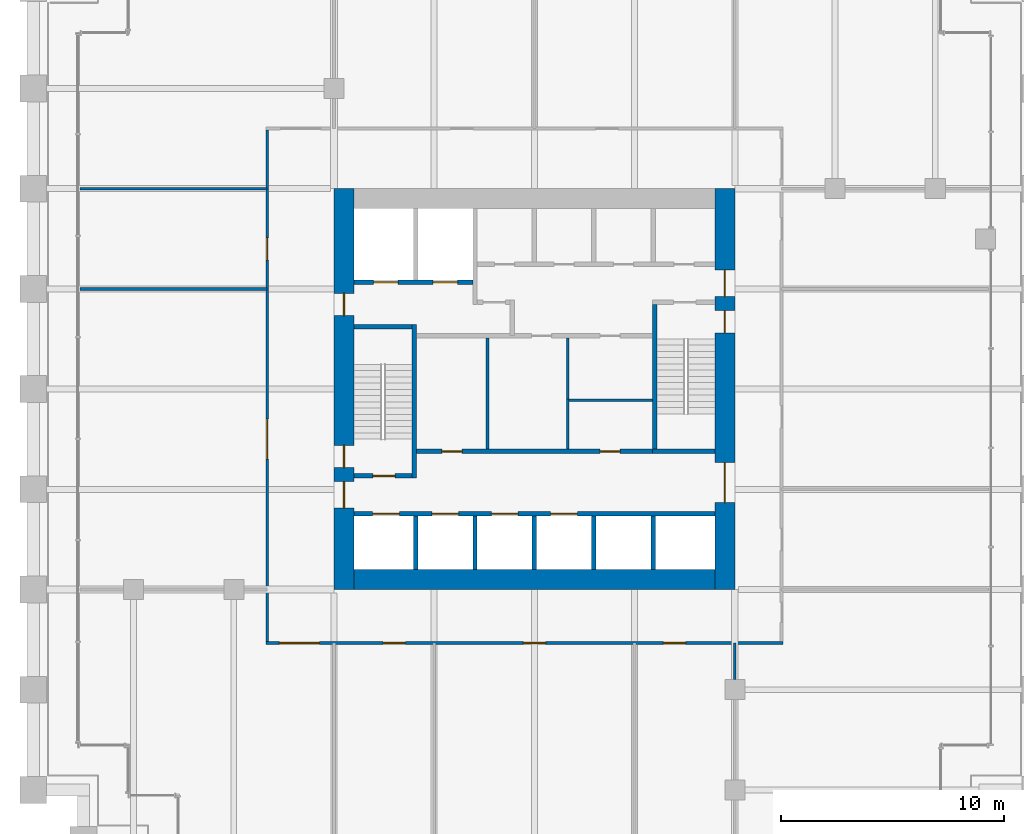
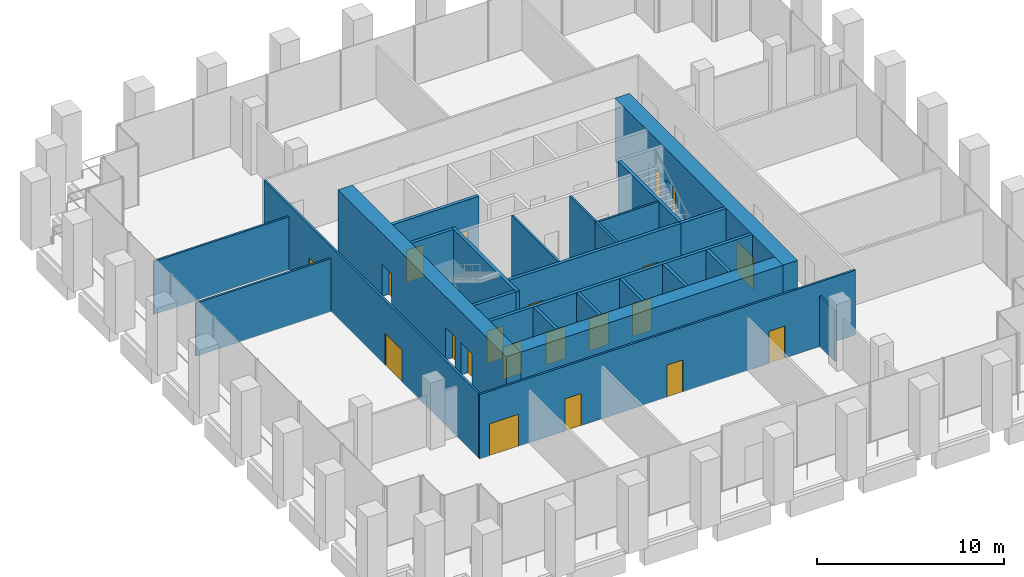
# One storey, part 30 of 36: 25 walls, 21 doors, 21 openings.
"""IFC4 building model written with IfcOpenShell, lengths in metres."""

from ifc_helpers import new_model, si_unit, direction, frame, frame_2d, origin, place, context, subcontext, project, spatial, rectangle, extrude, material, layer, layer_set, type_object, element, fill, save


model = new_model("IFC4")

# Units and contexts
model_context = context("Model", 3, precision=1e-05, world=origin(), true_north=direction((0.0, 1.0)))
body_context = subcontext(model_context, "Body", "Model", "MODEL_VIEW")
ifc_project = project(units=[si_unit("LENGTHUNIT", "METRE"), si_unit("AREAUNIT", "SQUARE_METRE"), si_unit("VOLUMEUNIT", "CUBIC_METRE"), si_unit("PLANEANGLEUNIT", "RADIAN"), si_unit("MASSUNIT", "GRAM", prefix="KILO")], contexts=[model_context])

# Site, building, storey
site_placement = place(None, origin())
site = spatial("IfcSite", under=ifc_project, at=site_placement, CompositionType="ELEMENT")
building_placement = place(site_placement, origin())
building = spatial("IfcBuilding", under=site, at=building_placement, Name="Altepetl Exchange Towers", CompositionType="ELEMENT")
storey_placement = place(building_placement, frame((0.0, 0.0, 29.800048828125)))
storey = spatial("IfcBuildingStorey", under=building, at=storey_placement, Name="L06", CompositionType="ELEMENT", Elevation=29.800048828125)

# Wall, openings, doors
ifc_material_1 = material(Name="Concrete C70/85", Category="concrete")
ifc_layer_1 = layer(ifc_material_1, 0.89990234375)
ifc_layer_set_1 = layer_set([ifc_layer_1], Name="Concrete C70/85")
wall_type_1 = type_object("IfcWallType", Name="Core wall 900 reinforced concrete", PredefinedType="SHEAR", material=ifc_layer_set_1)
wall_1_placement = place(storey_placement, frame((58.050048828125, 40.5, 0.0), z_axis=(0.0, 0.0, 1.0), x_axis=(0.0, 1.0, 0.0)))
wall_1 = element("IfcWall", 1, at=wall_1_placement, inside=storey, type_object=wall_type_1, Name="wall:A:L06:K-coreE", PredefinedType="SHEAR", context=body_context, shape_type="SweptSolid", body=[
    extrude(rectangle(XDim=18.0, YDim=0.89990234375, at=frame_2d((9.0, 0.0))), origin(), (0.0, 0.0, 1.0), 4.125),
])
opening_1_placement = place(wall_1_placement, frame((13.14990234375, 0.0, 0.0)))
opening_1 = element("IfcOpeningElement", 2, at=opening_1_placement, cuts=wall_1, Name="Opening L06.A60", PredefinedType="OPENING", context=body_context, shape_type="SweptSolid", body=[
    extrude(rectangle(XDim=1.199951171875, YDim=2.10009765625, at=frame_2d((0.60009765625, 1.050048828125))), frame((0.0, 0.4599609375, 0.0), z_axis=(0.0, -1.0, 0.0), x_axis=(1.0, 0.0, 0.0)), (0.0, 0.0, 1.0), 0.919921875),
])
opening_2_placement = place(wall_1_placement, frame((3.89990234375, 0.0, 0.0)))
opening_2 = element("IfcOpeningElement", 3, at=opening_2_placement, cuts=wall_1, Name="Opening L06.A61", PredefinedType="OPENING", context=body_context, shape_type="SweptSolid", body=[
    extrude(rectangle(XDim=1.800048828125, YDim=2.10009765625, at=frame_2d((0.89990234375, 1.050048828125))), frame((0.0, 0.4599609375, 0.0), z_axis=(0.0, -1.0, 0.0), x_axis=(1.0, 0.0, 0.0)), (0.0, 0.0, 1.0), 0.919921875),
])
opening_3_placement = place(wall_1_placement, frame((11.52490234375, 0.0, 0.0)))
opening_3 = element("IfcOpeningElement", 4, at=opening_3_placement, cuts=wall_1, Name="Opening L06.A66", PredefinedType="OPENING", context=body_context, shape_type="SweptSolid", body=[
    extrude(rectangle(XDim=1.0, YDim=2.10009765625, at=frame_2d((0.5, 1.050048828125))), frame((0.0, 0.4599609375, 0.0), z_axis=(0.0, -1.0, 0.0), x_axis=(1.0, 0.0, 0.0)), (0.0, 0.0, 1.0), 0.919921875),
])
ifc_material_2 = material(Name="Steel and timber fire door", Category="steel")
door_type_1 = type_object("IfcDoorType", Name="Fire door 1000 x 2100 stair and lobby", OperationType="SINGLE_SWING_LEFT", PredefinedType="DOOR", material=ifc_material_2)
door_1_placement = place(opening_3_placement, origin())
door_1 = element("IfcDoor", 5, at=door_1_placement, inside=storey, type_object=door_type_1, Name="door:A:L06:K-dS2x", OperationType="SINGLE_SWING_RIGHT", OverallHeight=2.10009765625, OverallWidth=1.0, PredefinedType="DOOR", context=body_context, shape_type="SweptSolid", body=[
    extrude(rectangle(XDim=1.0, YDim=2.10009765625, at=frame_2d((0.5, 1.050048828125))), frame((0.0, 0.02490234375, 0.0), z_axis=(0.0, -1.0, 0.0), x_axis=(1.0, 0.0, 0.0)), (0.0, 0.0, 1.0), 0.050048828125),
])
fill(opening_3, door_1)
door_type_2 = type_object("IfcDoorType", Name="Fire door 1200 x 2100 lobby entry", OperationType="SINGLE_SWING_LEFT", PredefinedType="DOOR", material=ifc_material_2)
door_2_placement = place(opening_1_placement, origin())
door_2 = element("IfcDoor", 6, at=door_2_placement, inside=storey, type_object=door_type_2, Name="door:A:L06:K-dLNE", OperationType="SINGLE_SWING_RIGHT", OverallHeight=2.10009765625, OverallWidth=1.199951171875, PredefinedType="DOOR", context=body_context, shape_type="SweptSolid", body=[
    extrude(rectangle(XDim=1.199951171875, YDim=2.10009765625, at=frame_2d((0.60009765625, 1.050048828125))), frame((0.0, 0.02490234375, 0.0), z_axis=(0.0, -1.0, 0.0), x_axis=(1.0, 0.0, 0.0)), (0.0, 0.0, 1.0), 0.050048828125),
])
fill(opening_1, door_2)
door_type_3 = type_object("IfcDoorType", Name="Fire door 1800 x 2100 lobby entry", OperationType="DOUBLE_DOOR_SINGLE_SWING", PredefinedType="DOOR", material=ifc_material_2)
door_3_placement = place(opening_2_placement, origin())
door_3 = element("IfcDoor", 7, at=door_3_placement, inside=storey, type_object=door_type_3, Name="door:A:L06:K-dLSE", OperationType="DOUBLE_DOOR_SINGLE_SWING", OverallHeight=2.10009765625, OverallWidth=1.800048828125, PredefinedType="DOOR", context=body_context, shape_type="SweptSolid", body=[
    extrude(rectangle(XDim=1.800048828125, YDim=2.10009765625, at=frame_2d((0.89990234375, 1.050048828125))), frame((0.0, 0.02490234375, 0.0), z_axis=(0.0, -1.0, 0.0), x_axis=(1.0, 0.0, 0.0)), (0.0, 0.0, 1.0), 0.050048828125),
])
fill(opening_2, door_3)

# Wall
wall_2_placement = place(storey_placement, frame((41.39990234375, 40.949951171875, 0.0)))
element("IfcWall", 8, at=wall_2_placement, inside=storey, type_object=wall_type_1, Name="wall:A:L06:K-coreS", PredefinedType="SHEAR", context=body_context, shape_type="SweptSolid", body=[
    extrude(rectangle(XDim=16.2001953125, YDim=0.89990234375, at=frame_2d((8.10009765625, 0.0))), origin(), (0.0, 0.0, 1.0), 4.125),
])

# Wall, openings, doors
wall_3_placement = place(storey_placement, frame((40.949951171875, 40.5, 0.0), z_axis=(0.0, 0.0, 1.0), x_axis=(0.0, 1.0, 0.0)))
wall_3 = element("IfcWall", 9, at=wall_3_placement, inside=storey, type_object=wall_type_1, Name="wall:A:L06:K-coreW", PredefinedType="SHEAR", context=body_context, shape_type="SweptSolid", body=[
    extrude(rectangle(XDim=18.0, YDim=0.89990234375, at=frame_2d((9.0, 0.0))), origin(), (0.0, 0.0, 1.0), 4.125),
])
opening_4_placement = place(wall_3_placement, frame((3.64990234375, 0.0, 0.0)))
opening_4 = element("IfcOpeningElement", 10, at=opening_4_placement, cuts=wall_3, Name="Opening L06.A62", PredefinedType="OPENING", context=body_context, shape_type="SweptSolid", body=[
    extrude(rectangle(XDim=1.199951171875, YDim=2.10009765625, at=frame_2d((0.60009765625, 1.050048828125))), frame((0.0, 0.4599609375, 0.0), z_axis=(0.0, -1.0, 0.0), x_axis=(1.0, 0.0, 0.0)), (0.0, 0.0, 1.0), 0.919921875),
])
opening_5_placement = place(wall_3_placement, frame((5.47509765625, 0.0, 0.0)))
opening_5 = element("IfcOpeningElement", 11, at=opening_5_placement, cuts=wall_3, Name="Opening L06.A64", PredefinedType="OPENING", context=body_context, shape_type="SweptSolid", body=[
    extrude(rectangle(XDim=1.0, YDim=2.10009765625, at=frame_2d((0.5, 1.050048828125))), frame((0.0, 0.4599609375, 0.0), z_axis=(0.0, -1.0, 0.0), x_axis=(1.0, 0.0, 0.0)), (0.0, 0.0, 1.0), 0.919921875),
])
opening_6_placement = place(wall_3_placement, frame((12.300048828125, 0.0, 0.0)))
opening_6 = element("IfcOpeningElement", 12, at=opening_6_placement, cuts=wall_3, Name="Opening L06.A68", PredefinedType="OPENING", context=body_context, shape_type="SweptSolid", body=[
    extrude(rectangle(XDim=1.0, YDim=2.10009765625, at=frame_2d((0.5, 1.050048828125))), frame((0.0, 0.4599609375, 0.0), z_axis=(0.0, -1.0, 0.0), x_axis=(1.0, 0.0, 0.0)), (0.0, 0.0, 1.0), 0.919921875),
])
door_4_placement = place(opening_5_placement, frame((1.0, 0.0, 0.0), x_axis=(-1.0, 0.0, 0.0)))
door_4 = element("IfcDoor", 13, at=door_4_placement, inside=storey, type_object=door_type_1, Name="door:A:L06:K-dS1x", OperationType="SINGLE_SWING_RIGHT", OverallHeight=2.10009765625, OverallWidth=1.0, PredefinedType="DOOR", context=body_context, shape_type="SweptSolid", body=[
    extrude(rectangle(XDim=1.0, YDim=2.10009765625, at=frame_2d((0.5, 1.050048828125))), frame((0.0, 0.02490234375, 0.0), z_axis=(0.0, -1.0, 0.0), x_axis=(1.0, 0.0, 0.0)), (0.0, 0.0, 1.0), 0.050048828125),
])
fill(opening_5, door_4)
door_5_placement = place(opening_6_placement, frame((1.0, 0.0, 0.0), x_axis=(-1.0, 0.0, 0.0)))
door_5 = element("IfcDoor", 14, at=door_5_placement, inside=storey, type_object=door_type_1, Name="door:A:L06:K-dffW", OperationType="SINGLE_SWING_LEFT", OverallHeight=2.10009765625, OverallWidth=1.0, PredefinedType="DOOR", context=body_context, shape_type="SweptSolid", body=[
    extrude(rectangle(XDim=1.0, YDim=2.10009765625, at=frame_2d((0.5, 1.050048828125))), frame((0.0, 0.02490234375, 0.0), z_axis=(0.0, -1.0, 0.0), x_axis=(1.0, 0.0, 0.0)), (0.0, 0.0, 1.0), 0.050048828125),
])
fill(opening_6, door_5)
door_6_placement = place(opening_4_placement, frame((1.199951171875, 0.0, 0.0), x_axis=(-1.0, 0.0, 0.0)))
door_6 = element("IfcDoor", 15, at=door_6_placement, inside=storey, type_object=door_type_2, Name="door:A:L06:K-dLSW", OperationType="SINGLE_SWING_LEFT", OverallHeight=2.10009765625, OverallWidth=1.199951171875, PredefinedType="DOOR", context=body_context, shape_type="SweptSolid", body=[
    extrude(rectangle(XDim=1.199951171875, YDim=2.10009765625, at=frame_2d((0.60009765625, 1.050048828125))), frame((0.0, 0.02490234375, 0.0), z_axis=(0.0, -1.0, 0.0), x_axis=(1.0, 0.0, 0.0)), (0.0, 0.0, 1.0), 0.050048828125),
])
fill(opening_4, door_6)

ifc_material_3 = material(Name="Concrete blockwork", Category="masonry")
ifc_layer_2 = layer(ifc_material_3, 0.199951171875)
ifc_layer_set_2 = layer_set([ifc_layer_2], Name="Concrete blockwork")
wall_type_2 = type_object("IfcWallType", Name="Lobby wall 200 blockwork", PredefinedType="PARTITIONING", material=ifc_layer_set_2)
wall_4_placement = place(storey_placement, frame((44.199951171875, 46.699951171875, 0.0)))
wall_4 = element("IfcWall", 16, at=wall_4_placement, inside=storey, type_object=wall_type_2, Name="wall:A:L06:K-zoneS", PredefinedType="PARTITIONING", context=body_context, shape_type="SweptSolid", body=[
    extrude(rectangle(XDim=10.60009765625, YDim=0.199951171875, at=frame_2d((5.300048828125, 0.0))), origin(), (0.0, 0.0, 1.0), 4.125),
])
opening_7_placement = place(wall_4_placement, frame((1.14990234375, 0.0, 0.0)))
opening_7 = element("IfcOpeningElement", 17, at=opening_7_placement, cuts=wall_4, Name="Opening L06.A73", PredefinedType="OPENING", context=body_context, shape_type="SweptSolid", body=[
    extrude(rectangle(XDim=0.89990234375, YDim=2.10009765625, at=frame_2d((0.449951171875, 1.050048828125))), frame((0.0, 0.10986328125, 0.0), z_axis=(0.0, -1.0, 0.0), x_axis=(1.0, 0.0, 0.0)), (0.0, 0.0, 1.0), 0.219970703125),
])
opening_8_placement = place(wall_4_placement, frame((8.25, 0.0, 0.0)))
opening_8 = element("IfcOpeningElement", 18, at=opening_8_placement, cuts=wall_4, Name="Opening L06.A75", PredefinedType="OPENING", context=body_context, shape_type="SweptSolid", body=[
    extrude(rectangle(XDim=0.89990234375, YDim=2.10009765625, at=frame_2d((0.449951171875, 1.050048828125))), frame((0.0, 0.10986328125, 0.0), z_axis=(0.0, -1.0, 0.0), x_axis=(1.0, 0.0, 0.0)), (0.0, 0.0, 1.0), 0.219970703125),
])
door_type_4 = type_object("IfcDoorType", Name="Fire door 900 x 2100 service room", OperationType="SINGLE_SWING_LEFT", PredefinedType="DOOR", material=ifc_material_2)
door_7_placement = place(opening_7_placement, origin())
door_7 = element("IfcDoor", 19, at=door_7_placement, inside=storey, type_object=door_type_4, Name="door:A:L06:K-dz1", OperationType="SINGLE_SWING_RIGHT", OverallHeight=2.10009765625, OverallWidth=0.89990234375, PredefinedType="DOOR", context=body_context, shape_type="SweptSolid", body=[
    extrude(rectangle(XDim=0.89990234375, YDim=2.10009765625, at=frame_2d((0.449951171875, 1.050048828125))), frame((0.0, 0.02490234375, 0.0), z_axis=(0.0, -1.0, 0.0), x_axis=(1.0, 0.0, 0.0)), (0.0, 0.0, 1.0), 0.050048828125),
])
fill(opening_7, door_7)
door_8_placement = place(opening_8_placement, origin())
door_8 = element("IfcDoor", 20, at=door_8_placement, inside=storey, type_object=door_type_4, Name="door:A:L06:K-dz3", OperationType="SINGLE_SWING_RIGHT", OverallHeight=2.10009765625, OverallWidth=0.89990234375, PredefinedType="DOOR", context=body_context, shape_type="SweptSolid", body=[
    extrude(rectangle(XDim=0.89990234375, YDim=2.10009765625, at=frame_2d((0.449951171875, 1.050048828125))), frame((0.0, 0.02490234375, 0.0), z_axis=(0.0, -1.0, 0.0), x_axis=(1.0, 0.0, 0.0)), (0.0, 0.0, 1.0), 0.050048828125),
])
fill(opening_8, door_8)

# Walls
ifc_material_4 = material(Name="Gypsum board on steel studs", Category="steel")
ifc_layer_3 = layer(ifc_material_4, 0.125)
ifc_layer_set_3 = layer_set([ifc_layer_3], Name="Gypsum board on steel studs")
wall_type_3 = type_object("IfcWallType", Name="Partition 125 gypsum board on steel studs", PredefinedType="PARTITIONING", material=ifc_layer_set_3)
wall_5_placement = place(storey_placement, frame((47.39990234375, 46.800048828125, 0.0), z_axis=(0.0, 0.0, 1.0), x_axis=(0.0, 1.0, 0.0)))
element("IfcWall", 21, at=wall_5_placement, inside=storey, type_object=wall_type_3, Name="wall:A:L06:K-zp1", PredefinedType="PARTITIONING", context=body_context, shape_type="SweptSolid", body=[
    extrude(rectangle(XDim=5.0, YDim=0.125, at=frame_2d((2.5, 0.0))), origin(), (0.0, 0.0, 1.0), 4.125),
])
wall_6_placement = place(storey_placement, frame((51.0, 46.800048828125, 0.0), z_axis=(0.0, 0.0, 1.0), x_axis=(0.0, 1.0, 0.0)))
element("IfcWall", 22, at=wall_6_placement, inside=storey, type_object=wall_type_3, Name="wall:A:L06:K-zp2", PredefinedType="PARTITIONING", context=body_context, shape_type="SweptSolid", body=[
    extrude(rectangle(XDim=2.262451171875, YDim=0.125, at=frame_2d((1.13134765625, 0.0))), origin(), (0.0, 0.0, 1.0), 4.125),
])
wall_7_placement = place(storey_placement, frame((54.800048828125, 49.0, 0.0), z_axis=(0.0, 0.0, 1.0), x_axis=(-1.0, 0.0, 0.0)))
element("IfcWall", 23, at=wall_7_placement, inside=storey, type_object=wall_type_3, Name="wall:A:L06:K-zp3", PredefinedType="PARTITIONING", context=body_context, shape_type="SweptSolid", body=[
    extrude(rectangle(XDim=3.737548828125, YDim=0.125, at=frame_2d((1.86865234375, 0.0))), origin(), (0.0, 0.0, 1.0), 4.125),
])
wall_8_placement = place(storey_placement, frame((51.0, 49.0, 0.0), z_axis=(0.0, 0.0, 1.0), x_axis=(0.0, 1.0, 0.0)))
element("IfcWall", 24, at=wall_8_placement, inside=storey, type_object=wall_type_3, Name="wall:A:L06:K-zp4", PredefinedType="PARTITIONING", context=body_context, shape_type="SweptSolid", body=[
    extrude(rectangle(XDim=2.800048828125, YDim=0.125, at=frame_2d((1.39990234375, 0.0))), origin(), (0.0, 0.0, 1.0), 4.125),
])

# Wall, openings, doors
wall_9_placement = place(storey_placement, frame((37.4375, 38.10009765625, 0.0)))
wall_9 = element("IfcWall", 25, at=wall_9_placement, inside=storey, type_object=wall_type_3, Name="wall:A:L06:P01", PredefinedType="PARTITIONING", context=body_context, shape_type="SweptSolid", body=[
    extrude(rectangle(XDim=23.22509765625, YDim=0.125, at=frame_2d((11.612548828125, 0.0))), origin(), (0.0, 0.0, 1.0), 4.224853515625),
])
opening_9_placement = place(wall_9_placement, frame((0.609619140625, 0.0, 0.0)))
opening_9 = element("IfcOpeningElement", 26, at=opening_9_placement, cuts=wall_9, Name="Opening L06.A02", PredefinedType="OPENING", context=body_context, shape_type="SweptSolid", body=[
    extrude(rectangle(XDim=1.800048828125, YDim=2.10009765625, at=frame_2d((0.89990234375, 1.050048828125))), frame((0.0, 0.072509765625, 0.0), z_axis=(0.0, -1.0, 0.0), x_axis=(1.0, 0.0, 0.0)), (0.0, 0.0, 1.0), 0.14501953125),
])
opening_10_placement = place(wall_9_placement, frame((5.267578125, 0.0, 0.0)))
opening_10 = element("IfcOpeningElement", 27, at=opening_10_placement, cuts=wall_9, Name="Opening L06.A03", PredefinedType="OPENING", context=body_context, shape_type="SweptSolid", body=[
    extrude(rectangle(XDim=1.0, YDim=2.10009765625, at=frame_2d((0.5, 1.050048828125))), frame((0.0, 0.072509765625, 0.0), z_axis=(0.0, -1.0, 0.0), x_axis=(1.0, 0.0, 0.0)), (0.0, 0.0, 1.0), 0.14501953125),
])
opening_11_placement = place(wall_9_placement, frame((11.5625, 0.0, 0.0)))
opening_11 = element("IfcOpeningElement", 28, at=opening_11_placement, cuts=wall_9, Name="Opening L06.A04", PredefinedType="OPENING", context=body_context, shape_type="SweptSolid", body=[
    extrude(rectangle(XDim=1.0, YDim=2.10009765625, at=frame_2d((0.5, 1.050048828125))), frame((0.0, 0.072509765625, 0.0), z_axis=(0.0, -1.0, 0.0), x_axis=(1.0, 0.0, 0.0)), (0.0, 0.0, 1.0), 0.14501953125),
])
opening_12_placement = place(wall_9_placement, frame((17.857421875, 0.0, 0.0)))
opening_12 = element("IfcOpeningElement", 29, at=opening_12_placement, cuts=wall_9, Name="Opening L06.A05", PredefinedType="OPENING", context=body_context, shape_type="SweptSolid", body=[
    extrude(rectangle(XDim=1.0, YDim=2.10009765625, at=frame_2d((0.5, 1.050048828125))), frame((0.0, 0.072509765625, 0.0), z_axis=(0.0, -1.0, 0.0), x_axis=(1.0, 0.0, 0.0)), (0.0, 0.0, 1.0), 0.14501953125),
])
door_type_5 = type_object("IfcDoorType", Name="Fire door 1000 x 2100 single leaf", OperationType="SINGLE_SWING_LEFT", PredefinedType="DOOR", material=ifc_material_2)
door_9_placement = place(opening_10_placement, frame((1.0, 0.0, 0.0), x_axis=(-1.0, 0.0, 0.0)))
door_9 = element("IfcDoor", 30, at=door_9_placement, inside=storey, type_object=door_type_5, Name="door:A:L06:03", OperationType="SINGLE_SWING_LEFT", OverallHeight=2.10009765625, OverallWidth=1.0, PredefinedType="DOOR", context=body_context, shape_type="SweptSolid", body=[
    extrude(rectangle(XDim=1.0, YDim=2.10009765625, at=frame_2d((0.5, 1.050048828125))), frame((0.0, 0.02490234375, 0.0), z_axis=(0.0, -1.0, 0.0), x_axis=(1.0, 0.0, 0.0)), (0.0, 0.0, 1.0), 0.050048828125),
])
fill(opening_10, door_9)
door_10_placement = place(opening_11_placement, frame((1.0, 0.0, 0.0), x_axis=(-1.0, 0.0, 0.0)))
door_10 = element("IfcDoor", 31, at=door_10_placement, inside=storey, type_object=door_type_5, Name="door:A:L06:04", OperationType="SINGLE_SWING_LEFT", OverallHeight=2.10009765625, OverallWidth=1.0, PredefinedType="DOOR", context=body_context, shape_type="SweptSolid", body=[
    extrude(rectangle(XDim=1.0, YDim=2.10009765625, at=frame_2d((0.5, 1.050048828125))), frame((0.0, 0.02490234375, 0.0), z_axis=(0.0, -1.0, 0.0), x_axis=(1.0, 0.0, 0.0)), (0.0, 0.0, 1.0), 0.050048828125),
])
fill(opening_11, door_10)
door_11_placement = place(opening_12_placement, frame((1.0, 0.0, 0.0), x_axis=(-1.0, 0.0, 0.0)))
door_11 = element("IfcDoor", 32, at=door_11_placement, inside=storey, type_object=door_type_5, Name="door:A:L06:05", OperationType="SINGLE_SWING_LEFT", OverallHeight=2.10009765625, OverallWidth=1.0, PredefinedType="DOOR", context=body_context, shape_type="SweptSolid", body=[
    extrude(rectangle(XDim=1.0, YDim=2.10009765625, at=frame_2d((0.5, 1.050048828125))), frame((0.0, 0.02490234375, 0.0), z_axis=(0.0, -1.0, 0.0), x_axis=(1.0, 0.0, 0.0)), (0.0, 0.0, 1.0), 0.050048828125),
])
fill(opening_12, door_11)
door_type_6 = type_object("IfcDoorType", Name="Fire door 1800 x 2100 double leaf", OperationType="DOUBLE_DOOR_SINGLE_SWING", PredefinedType="DOOR", material=ifc_material_2)
door_12_placement = place(opening_9_placement, frame((1.800048828125, 0.0, 0.0), x_axis=(-1.0, 0.0, 0.0)))
door_12 = element("IfcDoor", 33, at=door_12_placement, inside=storey, type_object=door_type_6, Name="door:A:L06:02", OperationType="DOUBLE_DOOR_SINGLE_SWING", OverallHeight=2.10009765625, OverallWidth=1.800048828125, PredefinedType="DOOR", context=body_context, shape_type="SweptSolid", body=[
    extrude(rectangle(XDim=1.800048828125, YDim=2.10009765625, at=frame_2d((0.89990234375, 1.050048828125))), frame((0.0, 0.02490234375, 0.0), z_axis=(0.0, -1.0, 0.0), x_axis=(1.0, 0.0, 0.0)), (0.0, 0.0, 1.0), 0.050048828125),
])
fill(opening_9, door_12)

# Walls
for number, where, name in (
    (34, (29.10009765625, 54.0, 0.0), "wall:A:L06:P07"),
    (35, (29.10009765625, 58.5, 0.0), "wall:A:L06:P09"),
):
    element("IfcWall", number, at=place(storey_placement, frame(where)), inside=storey, type_object=wall_type_3, Name=name, PredefinedType="PARTITIONING", context=body_context, shape_type="SweptSolid", body=[
        extrude(rectangle(XDim=8.39990234375, YDim=0.125, at=frame_2d((4.199951171875, 0.0))), origin(), (0.0, 0.0, 1.0), 3.467041015625),
    ])

# Wall, openings, doors
wall_10_placement = place(storey_placement, frame((37.5, 38.16259765625, 0.0), z_axis=(0.0, 0.0, 1.0), x_axis=(0.0, 1.0, 0.0)))
wall_10 = element("IfcWall", 36, at=wall_10_placement, inside=storey, type_object=wall_type_3, Name="wall:A:L06:P14", PredefinedType="PARTITIONING", context=body_context, shape_type="SweptSolid", body=[
    extrude(rectangle(XDim=22.974853515625, YDim=0.125, at=frame_2d((11.4873046875, 0.0))), origin(), (0.0, 0.0, 1.0), 4.224853515625),
])
opening_13_placement = place(wall_10_placement, frame((8.1875, 0.0, 0.0)))
opening_13 = element("IfcOpeningElement", 37, at=opening_13_placement, cuts=wall_10, Name="Opening L06.A01", PredefinedType="OPENING", context=body_context, shape_type="SweptSolid", body=[
    extrude(rectangle(XDim=1.800048828125, YDim=2.10009765625, at=frame_2d((0.89990234375, 1.050048828125))), frame((0.0, 0.072509765625, 0.0), z_axis=(0.0, -1.0, 0.0), x_axis=(1.0, 0.0, 0.0)), (0.0, 0.0, 1.0), 0.14501953125),
])
opening_14_placement = place(wall_10_placement, frame((17.132568359375, 0.0, 0.0)))
opening_14 = element("IfcOpeningElement", 38, at=opening_14_placement, cuts=wall_10, Name="Opening L06.A14", PredefinedType="OPENING", context=body_context, shape_type="SweptSolid", body=[
    extrude(rectangle(XDim=1.0, YDim=2.10009765625, at=frame_2d((0.5, 1.050048828125))), frame((0.0, 0.072509765625, 0.0), z_axis=(0.0, -1.0, 0.0), x_axis=(1.0, 0.0, 0.0)), (0.0, 0.0, 1.0), 0.14501953125),
])
door_13_placement = place(opening_14_placement, origin())
door_13 = element("IfcDoor", 39, at=door_13_placement, inside=storey, type_object=door_type_5, Name="door:A:L06:14", OperationType="SINGLE_SWING_LEFT", OverallHeight=2.10009765625, OverallWidth=1.0, PredefinedType="DOOR", context=body_context, shape_type="SweptSolid", body=[
    extrude(rectangle(XDim=1.0, YDim=2.10009765625, at=frame_2d((0.5, 1.050048828125))), frame((0.0, 0.02490234375, 0.0), z_axis=(0.0, -1.0, 0.0), x_axis=(1.0, 0.0, 0.0)), (0.0, 0.0, 1.0), 0.050048828125),
])
fill(opening_14, door_13)
door_14_placement = place(opening_13_placement, origin())
door_14 = element("IfcDoor", 40, at=door_14_placement, inside=storey, type_object=door_type_6, Name="door:A:L06:01", OperationType="DOUBLE_DOOR_SINGLE_SWING", OverallHeight=2.10009765625, OverallWidth=1.800048828125, PredefinedType="DOOR", context=body_context, shape_type="SweptSolid", body=[
    extrude(rectangle(XDim=1.800048828125, YDim=2.10009765625, at=frame_2d((0.89990234375, 1.050048828125))), frame((0.0, 0.02490234375, 0.0), z_axis=(0.0, -1.0, 0.0), x_axis=(1.0, 0.0, 0.0)), (0.0, 0.0, 1.0), 0.050048828125),
])
fill(opening_13, door_14)

# Walls
wall_11_placement = place(storey_placement, frame((58.5, 36.449951171875, 0.0), z_axis=(0.0, 0.0, 1.0), x_axis=(0.0, 1.0, 0.0)))
element("IfcWall", 41, at=wall_11_placement, inside=storey, type_object=wall_type_3, Name="wall:A:L06:P24", PredefinedType="PARTITIONING", context=body_context, shape_type="SweptSolid", body=[
    extrude(rectangle(XDim=1.650146484375, YDim=0.125, at=frame_2d((0.8251953125, 0.0))), origin(), (0.0, 0.0, 1.0), 3.302001953125),
])
ifc_material_5 = material(Name="Concrete C40/50", Category="concrete")
ifc_layer_4 = layer(ifc_material_5, 0.199951171875)
ifc_layer_set_4 = layer_set([ifc_layer_4], Name="Concrete C40/50")
wall_type_4 = type_object("IfcWallType", Name="Shaft wall 200 reinforced concrete", PredefinedType="SHEAR", material=ifc_layer_set_4)
for number, where, z_axis, x_axis, name in (
    (42, (44.166748046875, 41.39990234375, 0.0), (0.0, 0.0, 1.0), (0.0, 1.0, 0.0), "wall:A:L06:K-divS1"),
    (43, (46.833251953125, 41.39990234375, 0.0), (0.0, 0.0, 1.0), (0.0, 1.0, 0.0), "wall:A:L06:K-divS2"),
    (44, (49.5, 41.39990234375, 0.0), (0.0, 0.0, 1.0), (0.0, 1.0, 0.0), "wall:A:L06:K-divS3"),
    (45, (52.166748046875, 41.39990234375, 0.0), (0.0, 0.0, 1.0), (0.0, 1.0, 0.0), "wall:A:L06:K-divS4"),
    (46, (54.833251953125, 41.39990234375, 0.0), (0.0, 0.0, 1.0), (0.0, 1.0, 0.0), "wall:A:L06:K-divS5"),
):
    element("IfcWall", number, at=place(storey_placement, frame(where, z_axis=z_axis, x_axis=x_axis)), inside=storey, type_object=wall_type_4, Name=name, PredefinedType="SHEAR", context=body_context, shape_type="SweptSolid", body=[
        extrude(rectangle(XDim=2.400146484375, YDim=0.199951171875, at=frame_2d((1.2001953125, 0.0))), origin(), (0.0, 0.0, 1.0), 4.125),
    ])

# Wall, openings, doors
wall_12_placement = place(storey_placement, frame((41.39990234375, 54.300048828125, 0.0)))
wall_12 = element("IfcWall", 47, at=wall_12_placement, inside=storey, type_object=wall_type_4, Name="wall:A:L06:K-frontNd", PredefinedType="SHEAR", context=body_context, shape_type="SweptSolid", body=[
    extrude(rectangle(XDim=5.33349609375, YDim=0.199951171875, at=frame_2d((2.666748046875, 0.0))), origin(), (0.0, 0.0, 1.0), 4.125),
])
opening_15_placement = place(wall_12_placement, frame((0.88330078125, 0.0, 0.0)))
opening_15 = element("IfcOpeningElement", 48, at=opening_15_placement, cuts=wall_12, Name="Opening L06.A77", PredefinedType="OPENING", context=body_context, shape_type="SweptSolid", body=[
    extrude(rectangle(XDim=1.10009765625, YDim=2.10009765625, at=frame_2d((0.550048828125, 1.050048828125))), frame((0.0, 0.10986328125, 0.0), z_axis=(0.0, -1.0, 0.0), x_axis=(1.0, 0.0, 0.0)), (0.0, 0.0, 1.0), 0.219970703125),
])
opening_16_placement = place(wall_12_placement, frame((3.550048828125, 0.0, 0.0)))
opening_16 = element("IfcOpeningElement", 49, at=opening_16_placement, cuts=wall_12, Name="Opening L06.A78", PredefinedType="OPENING", context=body_context, shape_type="SweptSolid", body=[
    extrude(rectangle(XDim=1.10009765625, YDim=2.10009765625, at=frame_2d((0.550048828125, 1.050048828125))), frame((0.0, 0.10986328125, 0.0), z_axis=(0.0, -1.0, 0.0), x_axis=(1.0, 0.0, 0.0)), (0.0, 0.0, 1.0), 0.219970703125),
])
ifc_material_6 = material(Name="Stainless steel", Category="steel")
door_type_7 = type_object("IfcDoorType", Name="Lift landing door 1100 x 2100", OperationType="SLIDING_TO_LEFT", PredefinedType="DOOR", material=ifc_material_6)
door_15_placement = place(opening_15_placement, origin())
door_15 = element("IfcDoor", 50, at=door_15_placement, inside=storey, type_object=door_type_7, Name="Landing door FFL1", OperationType="SLIDING_TO_LEFT", OverallHeight=2.10009765625, OverallWidth=1.10009765625, PredefinedType="DOOR", context=body_context, shape_type="SweptSolid", body=[
    extrude(rectangle(XDim=1.10009765625, YDim=2.10009765625, at=frame_2d((0.550048828125, 1.050048828125))), frame((0.0, 0.02490234375, 0.0), z_axis=(0.0, -1.0, 0.0), x_axis=(1.0, 0.0, 0.0)), (0.0, 0.0, 1.0), 0.050048828125),
])
fill(opening_15, door_15)
door_16_placement = place(opening_16_placement, origin())
door_16 = element("IfcDoor", 51, at=door_16_placement, inside=storey, type_object=door_type_7, Name="Landing door FFL2", OperationType="SLIDING_TO_LEFT", OverallHeight=2.10009765625, OverallWidth=1.10009765625, PredefinedType="DOOR", context=body_context, shape_type="SweptSolid", body=[
    extrude(rectangle(XDim=1.10009765625, YDim=2.10009765625, at=frame_2d((0.550048828125, 1.050048828125))), frame((0.0, 0.02490234375, 0.0), z_axis=(0.0, -1.0, 0.0), x_axis=(1.0, 0.0, 0.0)), (0.0, 0.0, 1.0), 0.050048828125),
])
fill(opening_16, door_16)

wall_13_placement = place(storey_placement, frame((41.39990234375, 43.89990234375, 0.0)))
wall_13 = element("IfcWall", 52, at=wall_13_placement, inside=storey, type_object=wall_type_4, Name="wall:A:L06:K-frontS", PredefinedType="SHEAR", context=body_context, shape_type="SweptSolid", body=[
    extrude(rectangle(XDim=16.2001953125, YDim=0.199951171875, at=frame_2d((8.10009765625, 0.0))), origin(), (0.0, 0.0, 1.0), 4.125),
])
opening_17_placement = place(wall_13_placement, frame((0.833251953125, 0.0, 0.0)))
opening_17 = element("IfcOpeningElement", 53, at=opening_17_placement, cuts=wall_13, Name="Opening L06.A79", PredefinedType="OPENING", context=body_context, shape_type="SweptSolid", body=[
    extrude(rectangle(XDim=1.199951171875, YDim=2.10009765625, at=frame_2d((0.60009765625, 1.050048828125))), frame((0.0, 0.10986328125, 0.0), z_axis=(0.0, -1.0, 0.0), x_axis=(1.0, 0.0, 0.0)), (0.0, 0.0, 1.0), 0.219970703125),
])
opening_18_placement = place(wall_13_placement, frame((3.5, 0.0, 0.0)))
opening_18 = element("IfcOpeningElement", 54, at=opening_18_placement, cuts=wall_13, Name="Opening L06.A80", PredefinedType="OPENING", context=body_context, shape_type="SweptSolid", body=[
    extrude(rectangle(XDim=1.199951171875, YDim=2.10009765625, at=frame_2d((0.60009765625, 1.050048828125))), frame((0.0, 0.10986328125, 0.0), z_axis=(0.0, -1.0, 0.0), x_axis=(1.0, 0.0, 0.0)), (0.0, 0.0, 1.0), 0.219970703125),
])
opening_19_placement = place(wall_13_placement, frame((6.166748046875, 0.0, 0.0)))
opening_19 = element("IfcOpeningElement", 55, at=opening_19_placement, cuts=wall_13, Name="Opening L06.A81", PredefinedType="OPENING", context=body_context, shape_type="SweptSolid", body=[
    extrude(rectangle(XDim=1.199951171875, YDim=2.10009765625, at=frame_2d((0.60009765625, 1.050048828125))), frame((0.0, 0.10986328125, 0.0), z_axis=(0.0, -1.0, 0.0), x_axis=(1.0, 0.0, 0.0)), (0.0, 0.0, 1.0), 0.219970703125),
])
opening_20_placement = place(wall_13_placement, frame((8.833251953125, 0.0, 0.0)))
opening_20 = element("IfcOpeningElement", 56, at=opening_20_placement, cuts=wall_13, Name="Opening L06.A82", PredefinedType="OPENING", context=body_context, shape_type="SweptSolid", body=[
    extrude(rectangle(XDim=1.199951171875, YDim=2.10009765625, at=frame_2d((0.60009765625, 1.050048828125))), frame((0.0, 0.10986328125, 0.0), z_axis=(0.0, -1.0, 0.0), x_axis=(1.0, 0.0, 0.0)), (0.0, 0.0, 1.0), 0.219970703125),
])
door_type_8 = type_object("IfcDoorType", Name="Lift landing door 1200 x 2100", OperationType="SLIDING_TO_LEFT", PredefinedType="DOOR", material=ifc_material_6)
door_17_placement = place(opening_17_placement, origin())
door_17 = element("IfcDoor", 57, at=door_17_placement, inside=storey, type_object=door_type_8, Name="Landing door P1", OperationType="SLIDING_TO_LEFT", OverallHeight=2.10009765625, OverallWidth=1.199951171875, PredefinedType="DOOR", context=body_context, shape_type="SweptSolid", body=[
    extrude(rectangle(XDim=1.199951171875, YDim=2.10009765625, at=frame_2d((0.60009765625, 1.050048828125))), frame((0.0, 0.02490234375, 0.0), z_axis=(0.0, -1.0, 0.0), x_axis=(1.0, 0.0, 0.0)), (0.0, 0.0, 1.0), 0.050048828125),
])
fill(opening_17, door_17)
door_18_placement = place(opening_18_placement, origin())
door_18 = element("IfcDoor", 58, at=door_18_placement, inside=storey, type_object=door_type_8, Name="Landing door P2", OperationType="SLIDING_TO_LEFT", OverallHeight=2.10009765625, OverallWidth=1.199951171875, PredefinedType="DOOR", context=body_context, shape_type="SweptSolid", body=[
    extrude(rectangle(XDim=1.199951171875, YDim=2.10009765625, at=frame_2d((0.60009765625, 1.050048828125))), frame((0.0, 0.02490234375, 0.0), z_axis=(0.0, -1.0, 0.0), x_axis=(1.0, 0.0, 0.0)), (0.0, 0.0, 1.0), 0.050048828125),
])
fill(opening_18, door_18)
door_19_placement = place(opening_19_placement, origin())
door_19 = element("IfcDoor", 59, at=door_19_placement, inside=storey, type_object=door_type_8, Name="Landing door P3", OperationType="SLIDING_TO_LEFT", OverallHeight=2.10009765625, OverallWidth=1.199951171875, PredefinedType="DOOR", context=body_context, shape_type="SweptSolid", body=[
    extrude(rectangle(XDim=1.199951171875, YDim=2.10009765625, at=frame_2d((0.60009765625, 1.050048828125))), frame((0.0, 0.02490234375, 0.0), z_axis=(0.0, -1.0, 0.0), x_axis=(1.0, 0.0, 0.0)), (0.0, 0.0, 1.0), 0.050048828125),
])
fill(opening_19, door_19)
door_20_placement = place(opening_20_placement, origin())
door_20 = element("IfcDoor", 60, at=door_20_placement, inside=storey, type_object=door_type_8, Name="Landing door P4", OperationType="SLIDING_TO_LEFT", OverallHeight=2.10009765625, OverallWidth=1.199951171875, PredefinedType="DOOR", context=body_context, shape_type="SweptSolid", body=[
    extrude(rectangle(XDim=1.199951171875, YDim=2.10009765625, at=frame_2d((0.60009765625, 1.050048828125))), frame((0.0, 0.02490234375, 0.0), z_axis=(0.0, -1.0, 0.0), x_axis=(1.0, 0.0, 0.0)), (0.0, 0.0, 1.0), 0.050048828125),
])
fill(opening_20, door_20)

# Walls
ifc_layer_5 = layer(ifc_material_5, 0.199951171875)
ifc_layer_set_5 = layer_set([ifc_layer_5], Name="Concrete C40/50")
wall_type_5 = type_object("IfcWallType", Name="Stair wall 200 reinforced concrete", PredefinedType="SHEAR", material=ifc_layer_set_5)
wall_14_placement = place(storey_placement, frame((44.10009765625, 45.5, 0.0), z_axis=(0.0, 0.0, 1.0), x_axis=(0.0, 1.0, 0.0)))
element("IfcWall", 61, at=wall_14_placement, inside=storey, type_object=wall_type_5, Name="wall:A:L06:K-stS1E", PredefinedType="SHEAR", context=body_context, shape_type="SweptSolid", body=[
    extrude(rectangle(XDim=6.89990234375, YDim=0.199951171875, at=frame_2d((3.449951171875, 0.0))), origin(), (0.0, 0.0, 1.0), 4.125),
])
wall_15_placement = place(storey_placement, frame((41.39990234375, 52.300048828125, 0.0)))
element("IfcWall", 62, at=wall_15_placement, inside=storey, type_object=wall_type_5, Name="wall:A:L06:K-stS1N", PredefinedType="SHEAR", context=body_context, shape_type="SweptSolid", body=[
    extrude(rectangle(XDim=2.60009765625, YDim=0.199951171875, at=frame_2d((1.300048828125, 0.0))), origin(), (0.0, 0.0, 1.0), 4.125),
])

# Wall, opening, door
wall_16_placement = place(storey_placement, frame((41.39990234375, 45.60009765625, 0.0)))
wall_16 = element("IfcWall", 63, at=wall_16_placement, inside=storey, type_object=wall_type_5, Name="wall:A:L06:K-stS1S", PredefinedType="SHEAR", context=body_context, shape_type="SweptSolid", body=[
    extrude(rectangle(XDim=2.60009765625, YDim=0.199951171875, at=frame_2d((1.300048828125, 0.0))), origin(), (0.0, 0.0, 1.0), 4.125),
])
opening_21_placement = place(wall_16_placement, frame((0.85009765625, 0.0, 0.0)))
opening_21 = element("IfcOpeningElement", 64, at=opening_21_placement, cuts=wall_16, Name="Opening L06.A63", PredefinedType="OPENING", context=body_context, shape_type="SweptSolid", body=[
    extrude(rectangle(XDim=1.0, YDim=2.10009765625, at=frame_2d((0.5, 1.050048828125))), frame((0.0, 0.10986328125, 0.0), z_axis=(0.0, -1.0, 0.0), x_axis=(1.0, 0.0, 0.0)), (0.0, 0.0, 1.0), 0.219970703125),
])
door_21_placement = place(opening_21_placement, origin())
door_21 = element("IfcDoor", 65, at=door_21_placement, inside=storey, type_object=door_type_1, Name="door:A:L06:K-dS1in", OperationType="SINGLE_SWING_RIGHT", OverallHeight=2.10009765625, OverallWidth=1.0, PredefinedType="DOOR", context=body_context, shape_type="SweptSolid", body=[
    extrude(rectangle(XDim=1.0, YDim=2.10009765625, at=frame_2d((0.5, 1.050048828125))), frame((0.0, 0.02490234375, 0.0), z_axis=(0.0, -1.0, 0.0), x_axis=(1.0, 0.0, 0.0)), (0.0, 0.0, 1.0), 0.050048828125),
])
fill(opening_21, door_21)

# Walls
wall_17_placement = place(storey_placement, frame((54.800048828125, 46.699951171875, 0.0)))
element("IfcWall", 66, at=wall_17_placement, inside=storey, type_object=wall_type_5, Name="wall:A:L06:K-stS2S", PredefinedType="SHEAR", context=body_context, shape_type="SweptSolid", body=[
    extrude(rectangle(XDim=2.800048828125, YDim=0.199951171875, at=frame_2d((1.39990234375, 0.0))), origin(), (0.0, 0.0, 1.0), 4.125),
])
wall_18_placement = place(storey_placement, frame((54.89990234375, 46.800048828125, 0.0), z_axis=(0.0, 0.0, 1.0), x_axis=(0.0, 1.0, 0.0)))
element("IfcWall", 67, at=wall_18_placement, inside=storey, type_object=wall_type_5, Name="wall:A:L06:K-stS2W", PredefinedType="SHEAR", context=body_context, shape_type="SweptSolid", body=[
    extrude(rectangle(XDim=6.5, YDim=0.199951171875, at=frame_2d((3.25, 0.0))), origin(), (0.0, 0.0, 1.0), 4.125),
])

save(model, "model.ifc")
